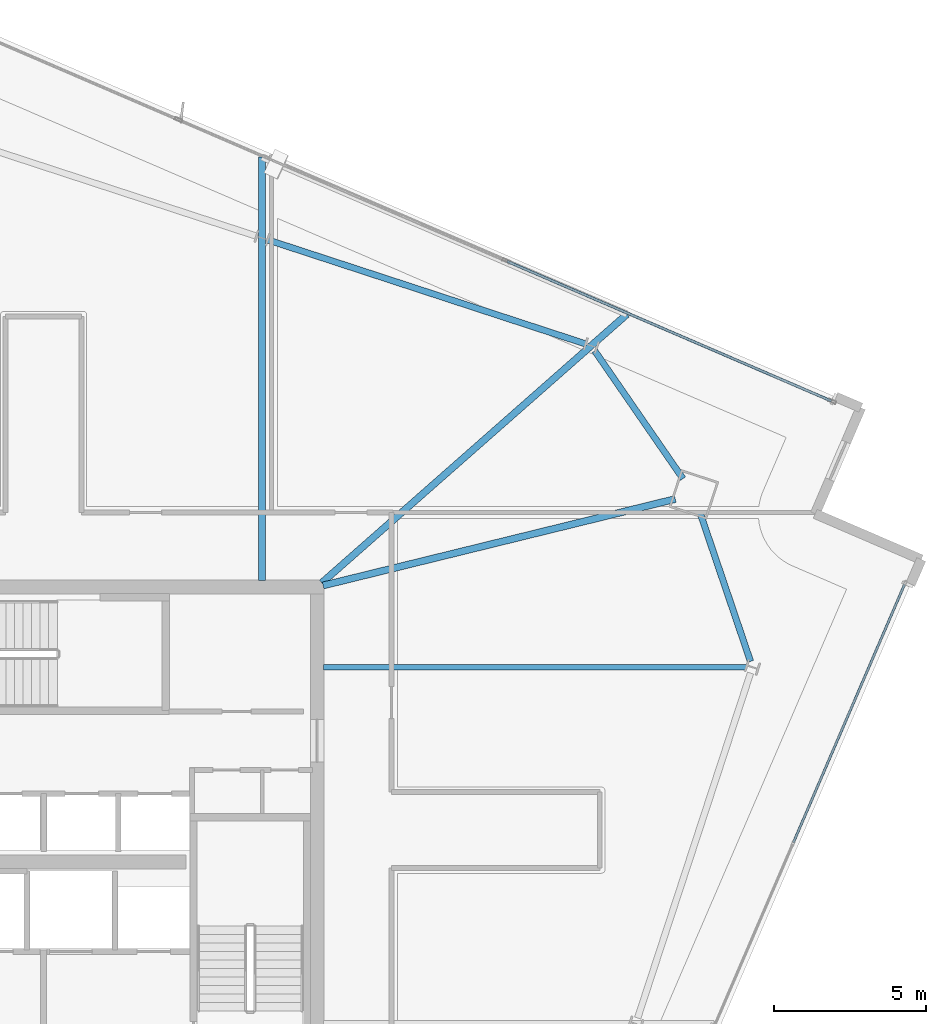
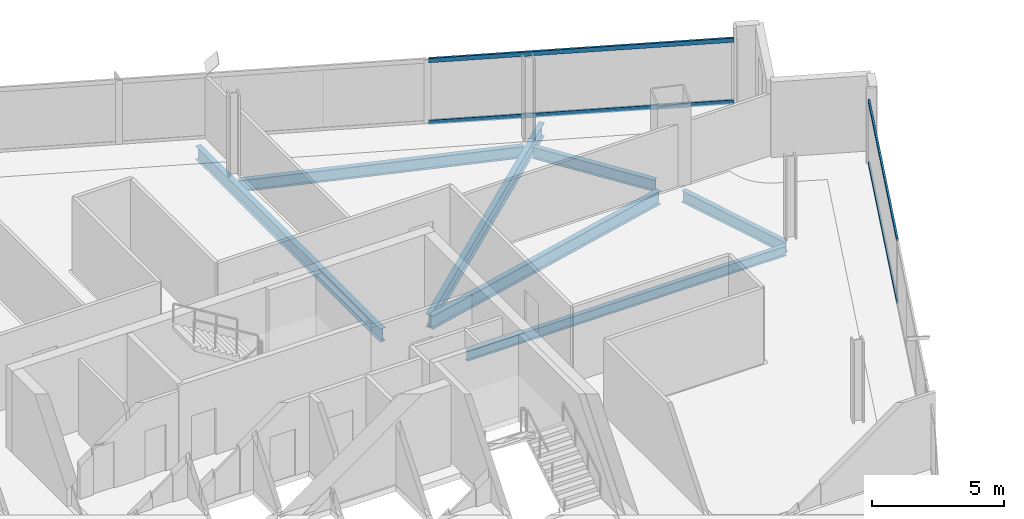
# One storey, part 16 of 28: 7 beams, 4 members, 2 elements without a shape of their own.
"""IFC4 building model written with IfcOpenShell, lengths in metres."""

from ifc_helpers import new_model, si_unit, direction, frame, origin, origin_2d, place, context, subcontext, project, spatial, hollow_rectangle, i_section, extrude, material, material_profile, profile_set, type_object, element, aggregate, save


model = new_model("IFC4")

# Units and contexts
model_context = context("Model", 3, precision=1e-05, world=origin(), true_north=direction((0.0, 1.0)))
body_context = subcontext(model_context, "Body", "Model", "MODEL_VIEW")
ifc_project = project(units=[si_unit("LENGTHUNIT", "METRE"), si_unit("AREAUNIT", "SQUARE_METRE"), si_unit("VOLUMEUNIT", "CUBIC_METRE"), si_unit("PLANEANGLEUNIT", "RADIAN"), si_unit("MASSUNIT", "GRAM", prefix="KILO")], contexts=[model_context])

# Site, building, storey
site_placement = place(None, origin())
site = spatial("IfcSite", under=ifc_project, at=site_placement, CompositionType="ELEMENT")
building_placement = place(site_placement, origin())
building = spatial("IfcBuilding", under=site, at=building_placement, Name="Haldenkirk Collegiate Tower", CompositionType="ELEMENT")
storey_placement = place(building_placement, frame((0.0, 0.0, 252.449951171875)))
storey = spatial("IfcBuildingStorey", under=building, at=storey_placement, Name="L63", CompositionType="ELEMENT", Elevation=252.449951171875)

# Beams
ifc_material_1 = material(Name="Steel ASTM A992 Grade 50", Category="steel")
ifc_material_profile_1 = material_profile(ifc_material_1, i_section(OverallWidth=0.22998046875, OverallDepth=0.616943359375, WebThickness=0.01318359375, FlangeThickness=0.022216796875, at=origin_2d()), Name="W24X94")
ifc_profile_set_1 = profile_set([ifc_material_profile_1], Name="Steel ASTM A992 Grade 50")
beam_type_1 = type_object("IfcBeamType", Name="BM-GIRDER-W24X94", PredefinedType="BEAM", material=ifc_profile_set_1)
beam_1_placement = place(storey_placement, frame((56.783935546875, 36.893310546875, -0.578369140625), z_axis=(-0.971153636509, -0.238454637815, 0.0), x_axis=(0.238454637815, -0.971153636509, 0.0)))
element("IfcBeam", 1, at=beam_1_placement, inside=storey, type_object=beam_type_1, Name="L63 primary floor girder 02", PredefinedType="BEAM", context=body_context, shape_type="SweptSolid", body=[
    extrude(i_section(OverallWidth=0.22998046875, OverallDepth=0.616943359375, WebThickness=0.01318359375, FlangeThickness=0.022216796875, at=origin_2d()), origin(), (0.0, 0.0, 1.0), 11.9287109375),
])
beam_2_placement = place(storey_placement, frame((55.1943359375, 42.971923828125, -0.578369140625), z_axis=(-0.750685272174, -0.660659989814, 0.0), x_axis=(0.660659989814, -0.750685272174, 0.0)))
element("IfcBeam", 2, at=beam_2_placement, inside=storey, type_object=beam_type_1, Name="L63 primary floor girder 08", PredefinedType="BEAM", context=body_context, shape_type="SweptSolid", body=[
    extrude(i_section(OverallWidth=0.22998046875, OverallDepth=0.616943359375, WebThickness=0.01318359375, FlangeThickness=0.022216796875, at=origin_2d()), origin(), (0.0, 0.0, 1.0), 13.375244140625),
])
beam_3_placement = place(storey_placement, frame((43.18994140625, 48.141845703125, -0.578369140625), z_axis=(0.0, -1.0, 0.0), x_axis=(1.0, 0.0, 0.0)))
element("IfcBeam", 3, at=beam_3_placement, inside=storey, type_object=beam_type_1, Name="L63 primary floor girder 09", PredefinedType="BEAM", context=body_context, shape_type="SweptSolid", body=[
    extrude(i_section(OverallWidth=0.22998046875, OverallDepth=0.616943359375, WebThickness=0.01318359375, FlangeThickness=0.022216796875, at=origin_2d()), origin(), (0.0, 0.0, 1.0), 13.936767578125),
])
ifc_material_profile_2 = material_profile(ifc_material_1, i_section(OverallWidth=0.18994140625, OverallDepth=0.45703125, WebThickness=0.009033203125, FlangeThickness=0.014404296875, at=origin_2d()), Name="W18X50")
ifc_profile_set_2 = profile_set([ifc_material_profile_2], Name="Steel ASTM A992 Grade 50")
beam_type_2 = type_object("IfcBeamType", Name="BM-JOIST-W18X50", PredefinedType="JOIST", material=ifc_profile_set_2)
beam_4_placement = place(storey_placement, frame((59.12109375, 31.360107421875, -0.49853515625), z_axis=(-1.0, 0.0, 0.0), x_axis=(0.0, -1.0, 0.0)))
element("IfcBeam", 4, at=beam_4_placement, inside=storey, type_object=beam_type_2, Name="L63 composite floor joist 07", PredefinedType="JOIST", context=body_context, shape_type="SweptSolid", body=[
    extrude(i_section(OverallWidth=0.18994140625, OverallDepth=0.45703125, WebThickness=0.009033203125, FlangeThickness=0.014404296875, at=origin_2d()), origin(), (0.0, 0.0, 1.0), 13.916015625),
])
ifc_material_profile_3 = material_profile(ifc_material_1, i_section(OverallWidth=0.2099609375, OverallDepth=0.537109375, WebThickness=0.010986328125, FlangeThickness=0.017333984375, at=origin_2d()), Name="W21X68")
ifc_profile_set_3 = profile_set([ifc_material_profile_3], Name="Steel ASTM A992 Grade 50")
beam_type_3 = type_object("IfcBeamType", Name="BM-SPANDREL-W21X68", PredefinedType="SPANDREL", material=ifc_profile_set_3)
beam_5_placement = place(storey_placement, frame((59.258544921875, 31.5517578125, -0.538330078125), z_axis=(-0.321225245884, 0.947002820168, 0.0), x_axis=(-0.947002820168, -0.321225245884, 0.0)))
element("IfcBeam", 5, at=beam_5_placement, inside=storey, type_object=beam_type_3, Name="L63 perimeter spandrel beam 04", PredefinedType="SPANDREL", context=body_context, shape_type="SweptSolid", body=[
    extrude(i_section(OverallWidth=0.2099609375, OverallDepth=0.537109375, WebThickness=0.010986328125, FlangeThickness=0.017333984375, at=origin_2d()), origin(), (0.0, 0.0, 1.0), 5.1689453125),
])
beam_6_placement = place(storey_placement, frame((57.037841796875, 37.56201171875, -0.538330078125), z_axis=(-0.568092176681, 0.822964931692, 0.0), x_axis=(-0.822964931692, -0.568092176681, 0.0)))
element("IfcBeam", 6, at=beam_6_placement, inside=storey, type_object=beam_type_3, Name="L63 perimeter spandrel beam 05", PredefinedType="SPANDREL", context=body_context, shape_type="SweptSolid", body=[
    extrude(i_section(OverallWidth=0.2099609375, OverallDepth=0.537109375, WebThickness=0.010986328125, FlangeThickness=0.017333984375, at=origin_2d()), origin(), (0.0, 0.0, 1.0), 5.11328125),
])
beam_7_placement = place(storey_placement, frame((53.825439453125, 41.99951171875, -0.538330078125), z_axis=(-0.950402144652, 0.311023734531, 0.0), x_axis=(-0.311023734531, -0.950402144652, 0.0)))
element("IfcBeam", 7, at=beam_7_placement, inside=storey, type_object=beam_type_3, Name="L63 perimeter spandrel beam 06", PredefinedType="SPANDREL", context=body_context, shape_type="SweptSolid", body=[
    extrude(i_section(OverallWidth=0.2099609375, OverallDepth=0.537109375, WebThickness=0.010986328125, FlangeThickness=0.017333984375, at=origin_2d()), origin(), (0.0, 0.0, 1.0), 10.98779296875),
])

# Curtain wall, members
ifc_material_2 = material(Name="Anodised architectural bronze aluminium", Category="aluminium")
curtain_wall_type_1 = type_object("IfcCurtainWallType", Name="CW-SYS2-CONCAVE", PredefinedType="USERDEFINED", material=ifc_material_2)
curtain_wall_1_placement = place(storey_placement, origin())
curtain_wall_1 = element("IfcCurtainWall", 8, at=curtain_wall_1_placement, inside=storey, type_object=curtain_wall_type_1, Name="L63 South concave recessed bronze-anodised curtain wall", ObjectType="UNITISED CURTAIN WALL", PredefinedType="USERDEFINED")
ifc_material_profile_4 = material_profile(ifc_material_2, hollow_rectangle(XDim=0.074951171875, YDim=0.159912109375, WallThickness=0.0048828125, at=origin_2d()), Name="CW-TRN-02")
ifc_profile_set_4 = profile_set([ifc_material_profile_4], Name="Anodised architectural bronze aluminium")
member_type_1 = type_object("IfcMemberType", Name="CW-TRN-02", PredefinedType="USERDEFINED", material=ifc_profile_set_4)
member_1_placement = place(storey_placement, frame((64.325927734375, 34.079833984375, 0.03759765625), z_axis=(-0.395532667681, -0.91845190881, 0.0), x_axis=(0.91845190881, -0.395532667681, 0.0)))
member_1 = element("IfcMember", 9, at=member_1_placement, type_object=member_type_1, Name="CW-02 transom 1.1", ObjectType="TRANSOM", PredefinedType="USERDEFINED", context=body_context, shape_type="SweptSolid", body=[
    extrude(hollow_rectangle(XDim=0.074951171875, YDim=0.159912109375, WallThickness=0.0048828125, at=origin_2d()), origin(), (0.0, 0.0, 1.0), 9.23779296875),
])
member_2_placement = place(storey_placement, frame((64.325927734375, 34.079833984375, 2.900634765625), z_axis=(-0.395532667681, -0.91845190881, 0.0), x_axis=(0.91845190881, -0.395532667681, 0.0)))
member_2 = element("IfcMember", 10, at=member_2_placement, type_object=member_type_1, Name="CW-02 transom 1.2", ObjectType="TRANSOM", PredefinedType="USERDEFINED", context=body_context, shape_type="SweptSolid", body=[
    extrude(hollow_rectangle(XDim=0.074951171875, YDim=0.159912109375, WallThickness=0.0048828125, at=origin_2d()), origin(), (0.0, 0.0, 1.0), 9.23779296875),
])
aggregate(curtain_wall_1, [member_1, member_2])

curtain_wall_type_2 = type_object("IfcCurtainWallType", Name="CW-SYS1B-CONVEX-HI", PredefinedType="USERDEFINED", material=ifc_material_2)
curtain_wall_2_placement = place(storey_placement, origin())
curtain_wall_2 = element("IfcCurtainWall", 11, at=curtain_wall_2_placement, inside=storey, type_object=curtain_wall_type_2, Name="L63 Upper tower high-wind convex bronze unitised curtain wall", ObjectType="UNITISED CURTAIN WALL", PredefinedType="USERDEFINED")
ifc_material_profile_5 = material_profile(ifc_material_2, hollow_rectangle(XDim=0.0849609375, YDim=0.199951171875, WallThickness=0.0048828125, at=origin_2d()), Name="CW-TRN-1B")
ifc_profile_set_5 = profile_set([ifc_material_profile_5], Name="Anodised architectural bronze aluminium")
member_type_2 = type_object("IfcMemberType", Name="CW-TRN-1B", PredefinedType="USERDEFINED", material=ifc_profile_set_5)
member_3_placement = place(storey_placement, frame((51.254638671875, 44.712158203125, 0.04248046875), z_axis=(0.918449417352, -0.395538452955, 0.0), x_axis=(0.395538452955, 0.918449417352, 0.0)))
member_3 = element("IfcMember", 12, at=member_3_placement, type_object=member_type_2, Name="CW-1B transom 3.1", ObjectType="TRANSOM", PredefinedType="USERDEFINED", context=body_context, shape_type="SweptSolid", body=[
    extrude(hollow_rectangle(XDim=0.0849609375, YDim=0.199951171875, WallThickness=0.0048828125, at=origin_2d()), origin(), (0.0, 0.0, 1.0), 11.60595703125),
])
member_4_placement = place(storey_placement, frame((51.254638671875, 44.712158203125, 2.8955078125), z_axis=(0.918449417352, -0.395538452955, 0.0), x_axis=(0.395538452955, 0.918449417352, 0.0)))
member_4 = element("IfcMember", 13, at=member_4_placement, type_object=member_type_2, Name="CW-1B transom 3.2", ObjectType="TRANSOM", PredefinedType="USERDEFINED", context=body_context, shape_type="SweptSolid", body=[
    extrude(hollow_rectangle(XDim=0.0849609375, YDim=0.199951171875, WallThickness=0.0048828125, at=origin_2d()), origin(), (0.0, 0.0, 1.0), 11.60595703125),
])
aggregate(curtain_wall_2, [member_3, member_4])

save(model, "model.ifc")
